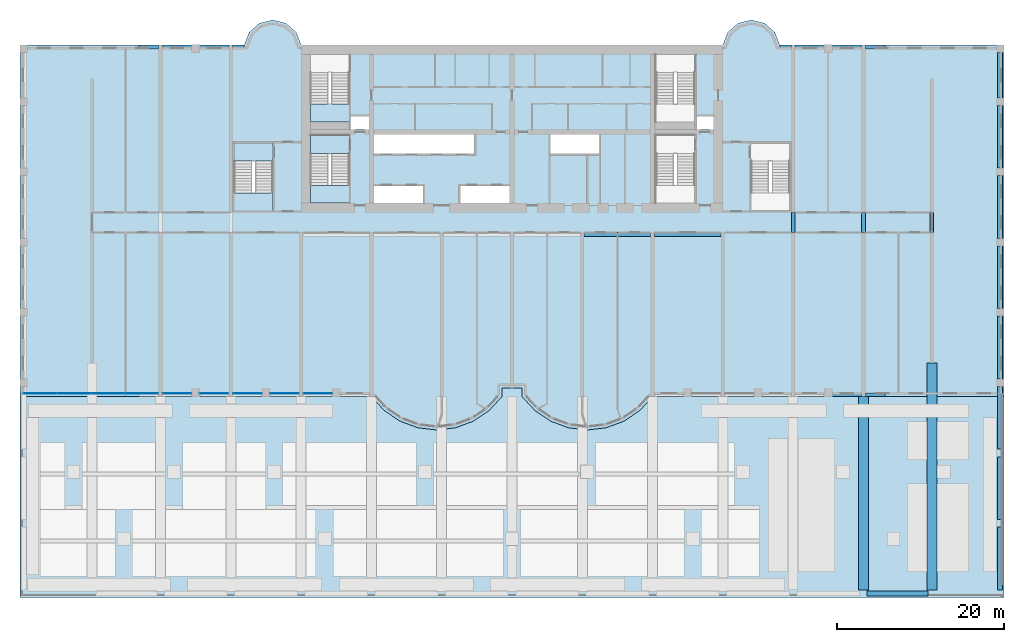
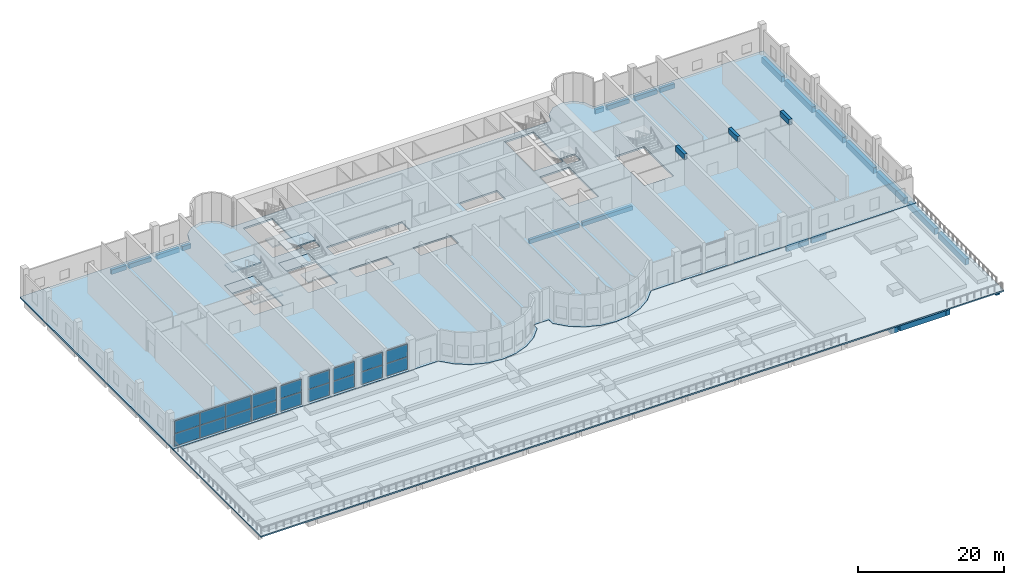
# One storey, part 7 of 20: 26 beams, 18 plates, 9 slabs, 9 elements without a shape of their own.
"""IFC4 building model written with IfcOpenShell, lengths in metres."""

from ifc_helpers import new_model, si_unit, direction, frame, origin, origin_2d, place, context, subcontext, project, spatial, polyline, rectangle, outline, extrude, source, transform, mapped, material, layer, layer_set, material_profile, profile_set, type_object, element, aggregate, save


model = new_model("IFC4")

# Units and contexts
model_context = context("Model", 3, precision=1e-05, world=origin(), true_north=direction((0.0, 1.0)))
body_context = subcontext(model_context, "Body", "Model", "MODEL_VIEW")
ifc_project = project(units=[si_unit("LENGTHUNIT", "METRE"), si_unit("AREAUNIT", "SQUARE_METRE"), si_unit("VOLUMEUNIT", "CUBIC_METRE"), si_unit("PLANEANGLEUNIT", "RADIAN"), si_unit("MASSUNIT", "GRAM", prefix="KILO")], contexts=[model_context])

# Site, building, storey
site_placement = place(None, origin())
site = spatial("IfcSite", under=ifc_project, at=site_placement, CompositionType="ELEMENT")
building_placement = place(site_placement, origin())
building = spatial("IfcBuilding", under=site, at=building_placement, Name="Vanashikhar Sky Hotel", CompositionType="ELEMENT")
storey_placement = place(building_placement, frame((0.0, 0.0, 6.0)))
storey = spatial("IfcBuildingStorey", under=building, at=storey_placement, Name="L01", CompositionType="ELEMENT", Elevation=6.0)

# Beams
ifc_material_1 = material(Name="Concrete M50", Category="concrete")
ifc_material_profile_1 = material_profile(ifc_material_1, rectangle(XDim=0.449951171875, YDim=0.89990234375, at=origin_2d()))
ifc_profile_set_1 = profile_set([ifc_material_profile_1], Name="RC 450x900 beam Concrete M50")
beam_type_1 = type_object("IfcBeamType", Name="RC 450x900 beam Concrete M50", PredefinedType="LINTEL", material=ifc_profile_set_1)
shared_shape_1 = source(origin(), body_context, "Body", "SweptSolid", [
    extrude(rectangle(XDim=0.449951171875, YDim=0.89990234375, at=origin_2d()), origin(), (0.0, 0.0, 1.0), 2.39990234375),
])
for number, where, z_axis, x_axis, name in (
    (1, (84.0, 19.60009765625, 4.669921875), (0.0, 1.0, 0.0), (-1.0, 0.0, 0.0), "LB-L01-XW11"),
    (2, (92.39990234375, 19.60009765625, 4.669921875), (0.0, 1.0, 0.0), (-1.0, 0.0, 0.0), "LB-L01-XW12"),
    (3, (100.574951171875, 19.60009765625, 4.669921875), (0.0, 1.0, 0.0), (-1.0, 0.0, 0.0), "LB-L01-XW13"),
):
    element("IfcBeam", number, at=place(storey_placement, frame(where, z_axis=z_axis, x_axis=x_axis)), inside=storey, type_object=beam_type_1, Name=name, PredefinedType="LINTEL", context=body_context, shape_type="MappedRepresentation", body=[
        mapped(shared_shape_1, transform((0.0, 0.0, 0.0), scale=1.0)),
    ])
ifc_material_profile_2 = material_profile(ifc_material_1, rectangle(XDim=0.449951171875, YDim=0.75, at=origin_2d()))
ifc_profile_set_2 = profile_set([ifc_material_profile_2], Name="RC 450x750 beam Concrete M50")
beam_type_2 = type_object("IfcBeamType", Name="RC 450x750 beam Concrete M50", PredefinedType="SPANDREL", material=ifc_profile_set_2)
shared_shape_2 = source(origin(), body_context, "Body", "SweptSolid", [
    extrude(rectangle(XDim=0.449951171875, YDim=0.75, at=origin_2d()), origin(), (0.0, 0.0, 1.0), 3.52490234375),
])
for number, where, z_axis, x_axis, name in (
    (4, (8.625, 41.77490234375, -0.655029296875), (1.0, 0.0, 0.0), (0.0, 1.0, 0.0), "EB-L01-R01"),
    (5, (13.050048828125, 41.77490234375, -0.655029296875), (1.0, 0.0, 0.0), (0.0, 1.0, 0.0), "EB-L01-R02"),
    (6, (84.22509765625, 41.77490234375, -0.655029296875), (1.0, 0.0, 0.0), (0.0, 1.0, 0.0), "EB-L01-R05"),
):
    element("IfcBeam", number, at=place(storey_placement, frame(where, z_axis=z_axis, x_axis=x_axis)), inside=storey, type_object=beam_type_2, Name=name, PredefinedType="SPANDREL", context=body_context, shape_type="MappedRepresentation", body=[
        mapped(shared_shape_2, transform((0.0, 0.0, 0.0), scale=1.0)),
    ])
shared_shape_3 = source(origin(), body_context, "Body", "SweptSolid", [
    extrude(rectangle(XDim=0.449951171875, YDim=0.75, at=origin_2d()), origin(), (0.0, 0.0, 1.0), 3.525146484375),
])
for number, where, z_axis, x_axis, name in (
    (7, (88.64990234375, 0.22509765625, -0.655029296875), (1.0, 0.0, 0.0), (0.0, 1.0, 0.0), "EB-L01-F13"),
    (8, (88.64990234375, 41.77490234375, -0.655029296875), (1.0, 0.0, 0.0), (0.0, 1.0, 0.0), "EB-L01-R06"),
):
    element("IfcBeam", number, at=place(storey_placement, frame(where, z_axis=z_axis, x_axis=x_axis)), inside=storey, type_object=beam_type_2, Name=name, PredefinedType="SPANDREL", context=body_context, shape_type="MappedRepresentation", body=[
        mapped(shared_shape_3, transform((0.0, 0.0, 0.0), scale=1.0)),
    ])
ifc_material_profile_3 = material_profile(ifc_material_1, rectangle(XDim=0.449951171875, YDim=0.75, at=origin_2d()))
ifc_profile_set_3 = profile_set([ifc_material_profile_3], Name="RC 450x750 cantilever beam Concrete M50")
beam_type_3 = type_object("IfcBeamType", Name="RC 450x750 cantilever beam Concrete M50", PredefinedType="SPANDREL", material=ifc_profile_set_3)
shared_shape_4 = source(origin(), body_context, "Body", "SweptSolid", [
    extrude(rectangle(XDim=0.449951171875, YDim=0.75, at=origin_2d()), origin(), (0.0, 0.0, 1.0), 2.330078125),
])
for number, where, z_axis, x_axis, name in (
    (9, (92.625, 0.22509765625, -0.655029296875), (1.0, 0.0, 0.0), (0.0, 1.0, 0.0), "EB-L01-F14"),
    (10, (5.844970703125, 41.77490234375, -0.655029296875), (1.0, 0.0, 0.0), (0.0, 1.0, 0.0), "EB-L01-R03"),
    (11, (92.625, 41.77490234375, -0.655029296875), (1.0, 0.0, 0.0), (0.0, 1.0, 0.0), "EB-L01-R08"),
):
    element("IfcBeam", number, at=place(storey_placement, frame(where, z_axis=z_axis, x_axis=x_axis)), inside=storey, type_object=beam_type_3, Name=name, PredefinedType="SPANDREL", context=body_context, shape_type="MappedRepresentation", body=[
        mapped(shared_shape_4, transform((0.0, 0.0, 0.0), scale=1.0)),
    ])
shared_shape_5 = source(origin(), body_context, "Body", "SweptSolid", [
    extrude(rectangle(XDim=0.449951171875, YDim=0.75, at=origin_2d()), origin(), (0.0, 0.0, 1.0), 1.375),
])
for number, where, z_axis, x_axis, name in (
    (12, (17.02490234375, 41.77490234375, -0.655029296875), (1.0, 0.0, 0.0), (0.0, 1.0, 0.0), "EB-L01-R04"),
    (13, (82.39990234375, 41.77490234375, -0.655029296875), (1.0, 0.0, 0.0), (0.0, 1.0, 0.0), "EB-L01-R07"),
):
    element("IfcBeam", number, at=place(storey_placement, frame(where, z_axis=z_axis, x_axis=x_axis)), inside=storey, type_object=beam_type_3, Name=name, PredefinedType="SPANDREL", context=body_context, shape_type="MappedRepresentation", body=[
        mapped(shared_shape_5, transform((0.0, 0.0, 0.0), scale=1.0)),
    ])
ifc_material_profile_4 = material_profile(ifc_material_1, rectangle(XDim=0.449951171875, YDim=0.699951171875, at=origin_2d()))
ifc_profile_set_4 = profile_set([ifc_material_profile_4], Name="RC 450x700 beam Concrete M50")
beam_type_4 = type_object("IfcBeamType", Name="RC 450x700 beam Concrete M50", PredefinedType="BEAM", material=ifc_profile_set_4)
shared_shape_6 = source(origin(), body_context, "Body", "SweptSolid", [
    extrude(rectangle(XDim=0.449951171875, YDim=0.699951171875, at=origin_2d()), origin(), (0.0, 0.0, 1.0), 7.949951171875),
])
beam_1_placement = place(storey_placement, frame((67.425048828125, 19.375, -0.6298828125), z_axis=(1.0, 0.0, 0.0), x_axis=(0.0, 1.0, 0.0)))
element("IfcBeam", 14, at=beam_1_placement, inside=storey, type_object=beam_type_4, Name="CB-L01-06", PredefinedType="BEAM", context=body_context, shape_type="MappedRepresentation", body=[
    mapped(shared_shape_6, transform((0.0, 0.0, 0.0), scale=1.0)),
])
shared_shape_7 = source(origin(), body_context, "Body", "SweptSolid", [
    extrude(rectangle(XDim=0.449951171875, YDim=0.699951171875, at=origin_2d()), origin(), (0.0, 0.0, 1.0), 7.9501953125),
])
beam_2_placement = place(storey_placement, frame((59.02490234375, 19.375, -0.6298828125), z_axis=(1.0, 0.0, 0.0), x_axis=(0.0, 1.0, 0.0)))
element("IfcBeam", 15, at=beam_2_placement, inside=storey, type_object=beam_type_4, Name="CB-L01-05", PredefinedType="BEAM", context=body_context, shape_type="MappedRepresentation", body=[
    mapped(shared_shape_7, transform((0.0, 0.0, 0.0), scale=1.0)),
])
ifc_material_profile_5 = material_profile(ifc_material_1, rectangle(XDim=0.60009765625, YDim=1.0, at=origin_2d()))
ifc_profile_set_5 = profile_set([ifc_material_profile_5], Name="RC 600x1000 beam Concrete M50")
beam_type_5 = type_object("IfcBeamType", Name="RC 600x1000 beam Concrete M50", PredefinedType="SPANDREL", material=ifc_profile_set_5)
shared_shape_8 = source(origin(), body_context, "Body", "SweptSolid", [
    extrude(rectangle(XDim=0.60009765625, YDim=1.0, at=origin_2d()), origin(), (0.0, 0.0, 1.0), 7.5),
])
for number, where, z_axis, x_axis, name in (
    (16, (108.75, -23.10009765625, -0.780029296875), (0.0, 1.0, 0.0), (-1.0, 0.0, 0.0), "EB-L01-A201"),
    (17, (108.75, -14.699951171875, -0.780029296875), (0.0, 1.0, 0.0), (-1.0, 0.0, 0.0), "EB-L01-A202"),
    (18, (108.75, -6.300048828125, -0.780029296875), (0.0, 1.0, 0.0), (-1.0, 0.0, 0.0), "EB-L01-A203"),
    (19, (108.75, 2.10009765625, -0.780029296875), (0.0, 1.0, 0.0), (-1.0, 0.0, 0.0), "EB-L01-A204"),
    (20, (108.75, 10.5, -0.780029296875), (0.0, 1.0, 0.0), (-1.0, 0.0, 0.0), "EB-L01-A205"),
    (21, (108.75, 18.89990234375, -0.780029296875), (0.0, 1.0, 0.0), (-1.0, 0.0, 0.0), "EB-L01-A206"),
    (22, (108.75, 27.300048828125, -0.780029296875), (0.0, 1.0, 0.0), (-1.0, 0.0, 0.0), "EB-L01-A207"),
):
    element("IfcBeam", number, at=place(storey_placement, frame(where, z_axis=z_axis, x_axis=x_axis)), inside=storey, type_object=beam_type_5, Name=name, PredefinedType="SPANDREL", context=body_context, shape_type="MappedRepresentation", body=[
        mapped(shared_shape_8, transform((0.0, 0.0, 0.0), scale=1.0)),
    ])
shared_shape_9 = source(origin(), body_context, "Body", "SweptSolid", [
    extrude(rectangle(XDim=0.60009765625, YDim=1.0, at=origin_2d()), origin(), (0.0, 0.0, 1.0), 5.400146484375),
])
beam_3_placement = place(storey_placement, frame((108.75, 35.699951171875, -0.780029296875), z_axis=(0.0, 1.0, 0.0), x_axis=(-1.0, 0.0, 0.0)))
element("IfcBeam", 23, at=beam_3_placement, inside=storey, type_object=beam_type_5, Name="EB-L01-A208", PredefinedType="SPANDREL", context=body_context, shape_type="MappedRepresentation", body=[
    mapped(shared_shape_9, transform((0.0, 0.0, 0.0), scale=1.0)),
])
ifc_material_profile_6 = material_profile(ifc_material_1, rectangle(XDim=1.199951171875, YDim=1.60009765625, at=origin_2d()))
ifc_profile_set_6 = profile_set([ifc_material_profile_6], Name="RC 1200x1600 beam Concrete M50")
beam_type_6 = type_object("IfcBeamType", Name="RC 1200x1600 beam Concrete M50", PredefinedType="BEAM", material=ifc_profile_set_6)
shared_shape_10 = source(origin(), body_context, "Body", "SweptSolid", [
    extrude(rectangle(XDim=1.199951171875, YDim=1.60009765625, at=origin_2d()), origin(), (0.0, 0.0, 1.0), 27.10009765625),
])
beam_4_placement = place(storey_placement, frame((100.574951171875, -23.10009765625, -1.080078125), z_axis=(0.0, 1.0, 0.0), x_axis=(-1.0, 0.0, 0.0)))
element("IfcBeam", 24, at=beam_4_placement, inside=storey, type_object=beam_type_6, Name="TG-L01-13", PredefinedType="BEAM", context=body_context, shape_type="MappedRepresentation", body=[
    mapped(shared_shape_10, transform((0.0, 0.0, 0.0), scale=1.0)),
])
shared_shape_11 = source(origin(), body_context, "Body", "SweptSolid", [
    extrude(rectangle(XDim=1.199951171875, YDim=1.60009765625, at=origin_2d()), origin(), (0.0, 0.0, 1.0), 23.10009765625),
])
beam_5_placement = place(storey_placement, frame((92.39990234375, -23.10009765625, -1.080078125), z_axis=(0.0, 1.0, 0.0), x_axis=(-1.0, 0.0, 0.0)))
element("IfcBeam", 25, at=beam_5_placement, inside=storey, type_object=beam_type_6, Name="TG-L01-12", PredefinedType="BEAM", context=body_context, shape_type="MappedRepresentation", body=[
    mapped(shared_shape_11, transform((0.0, 0.0, 0.0), scale=1.0)),
])
shared_shape_12 = source(origin(), body_context, "Body", "SweptSolid", [
    extrude(rectangle(XDim=0.60009765625, YDim=1.0, at=origin_2d()), origin(), (0.0, 0.0, 1.0), 7.27490234375),
])
beam_6_placement = place(storey_placement, frame((92.85009765625, -23.550048828125, -0.780029296875), z_axis=(1.0, 0.0, 0.0), x_axis=(0.0, 1.0, 0.0)))
element("IfcBeam", 26, at=beam_6_placement, inside=storey, type_object=beam_type_5, Name="EB-L01-D12", PredefinedType="SPANDREL", context=body_context, shape_type="MappedRepresentation", body=[
    mapped(shared_shape_12, transform((0.0, 0.0, 0.0), scale=1.0)),
])

# Slabs
ifc_material_2 = material(Name="Concrete M40", Category="concrete")
ifc_layer_1 = layer(ifc_material_2, 0.280029296875)
ifc_layer_set_1 = layer_set([ifc_layer_1], Name="Floor slab 280 mm")
slab_type_1 = type_object("IfcSlabType", Name="Floor slab 280 mm", PredefinedType="FLOOR", material=ifc_layer_set_1)
shared_shape_13 = source(origin(), body_context, "Body", "SweptSolid", [
    extrude(outline(polyline([(49.199951171875, 0.0), (49.199951171875, 1.0), (51.60009765625, 1.0), (51.60009765625, 0.0), (53.133056640625, -1.674072265625), (55.01708984375, -2.94189453125), (57.14599609375, -3.73193359375), (59.39990234375, -4.0), (61.654052734375, -3.73193359375), (63.782958984375, -2.94189453125), (65.6669921875, -1.674072265625), (67.199951171875, 0.0), (109.199951171875, 0.0), (109.199951171875, 42.0), (82.39990234375, 42.0), (81.81494140625, 43.527099609375), (80.587890625, 44.610107421875), (79.0, 45.0), (77.412109375, 44.610107421875), (76.18505859375, 43.527099609375), (75.60009765625, 42.0), (25.199951171875, 42.0), (24.614990234375, 43.527099609375), (23.387939453125, 44.610107421875), (21.800048828125, 45.0), (20.2119140625, 44.610107421875), (18.985107421875, 43.527099609375), (18.39990234375, 42.0), (-8.39990234375, 42.0), (-8.39990234375, 0.0), (33.60009765625, 0.0), (35.133056640625, -1.674072265625), (37.01708984375, -2.94189453125), (39.14599609375, -3.73193359375), (41.39990234375, -4.0), (43.654052734375, -3.73193359375), (45.782958984375, -2.94189453125), (47.6669921875, -1.674072265625), (49.199951171875, 0.0)]), holes=[polyline([(33.300048828125, 33.60009765625), (31.050048828125, 33.60009765625), (31.050048828125, 31.89990234375), (33.300048828125, 31.89990234375), (33.300048828125, 33.60009765625)]), polyline([(33.89990234375, 25.199951171875), (33.89990234375, 23.10009765625), (39.89990234375, 23.10009765625), (39.89990234375, 25.199951171875), (33.89990234375, 25.199951171875)]), polyline([(33.89990234375, 31.300048828125), (33.89990234375, 29.0), (45.89990234375, 29.0), (45.89990234375, 31.300048828125), (33.89990234375, 31.300048828125)]), polyline([(44.10009765625, 25.199951171875), (44.10009765625, 23.10009765625), (50.10009765625, 23.10009765625), (50.10009765625, 25.199951171875), (44.10009765625, 25.199951171875)]), polyline([(54.89990234375, 31.300048828125), (54.89990234375, 29.0), (60.89990234375, 29.0), (60.89990234375, 31.300048828125), (54.89990234375, 31.300048828125)]), polyline([(74.5, 33.60009765625), (72.35009765625, 33.60009765625), (72.35009765625, 31.89990234375), (74.5, 31.89990234375), (74.5, 33.60009765625)]), polyline([(30.949951171875, 23.10009765625), (30.949951171875, 31.199951171875), (26.300048828125, 31.199951171875), (26.300048828125, 23.10009765625), (30.949951171875, 23.10009765625)]), polyline([(72.25, 23.10009765625), (72.25, 31.199951171875), (67.60009765625, 31.199951171875), (67.60009765625, 23.10009765625), (72.25, 23.10009765625)]), polyline([(30.949951171875, 32.800048828125), (30.949951171875, 40.89990234375), (26.300048828125, 40.89990234375), (26.300048828125, 32.800048828125), (30.949951171875, 32.800048828125)]), polyline([(72.25, 32.800048828125), (72.25, 40.89990234375), (67.60009765625, 40.89990234375), (67.60009765625, 32.800048828125), (72.25, 32.800048828125)]), polyline([(83.60009765625, 22.199951171875), (83.60009765625, 30.300048828125), (78.949951171875, 30.300048828125), (78.949951171875, 22.199951171875), (83.60009765625, 22.199951171875)]), polyline([(21.85009765625, 22.199951171875), (21.85009765625, 30.300048828125), (17.199951171875, 30.300048828125), (17.199951171875, 22.199951171875), (21.85009765625, 22.199951171875)])]), origin(), (0.0, 0.0, 1.0), 0.280029296875),
])
slab_1_placement = place(storey_placement, frame((0.0, 0.0, -0.280029296875)))
element("IfcSlab", 27, at=slab_1_placement, inside=storey, type_object=slab_type_1, Name="Floor slab L01", PredefinedType="FLOOR", context=body_context, shape_type="MappedRepresentation", body=[
    mapped(shared_shape_13, transform((0.0, 0.0, 0.0), scale=1.0)),
])
ifc_layer_2 = layer(ifc_material_2, 0.22998046875)
ifc_layer_set_2 = layer_set([ifc_layer_2], Name="Garden deck slab 230 mm")
slab_type_2 = type_object("IfcSlabType", Name="Garden deck slab 230 mm", PredefinedType="ROOF", material=ifc_layer_set_2)
shared_shape_14 = source(origin(), body_context, "Body", "SweptSolid", [
    extrude(outline(polyline([(109.197998046875, -0.001953125), (67.200927734375, -0.001953125), (65.66796875, -1.676025390625), (63.783935546875, -2.944091796875), (61.654052734375, -3.73388671875), (59.39990234375, -4.001953125), (57.14599609375, -3.73388671875), (55.01611328125, -2.944091796875), (53.132080078125, -1.676025390625), (51.597900390625, -0.0009765625), (51.597900390625, 0.998046875), (49.201904296875, 0.998046875), (49.201904296875, -0.0009765625), (47.66796875, -1.676025390625), (45.783935546875, -2.944091796875), (43.654052734375, -3.73388671875), (41.39990234375, -4.001953125), (39.14599609375, -3.73388671875), (37.01611328125, -2.944091796875), (35.132080078125, -1.676025390625), (33.59912109375, -0.001953125), (-8.39794921875, -0.001953125), (-8.39794921875, -23.998046875), (109.197998046875, -23.998046875), (109.197998046875, -0.001953125)])), origin(), (0.0, 0.0, 1.0), 0.22998046875),
])
slab_2_placement = place(storey_placement, frame((0.0, 0.0, -0.280029296875)))
element("IfcSlab", 28, at=slab_2_placement, inside=storey, type_object=slab_type_2, Name="Garden deck slab L01 1", PredefinedType="ROOF", context=body_context, shape_type="MappedRepresentation", body=[
    mapped(shared_shape_14, transform((0.0, 0.0, 0.0), scale=1.0)),
])

# Curtain wall, plates
ifc_material_3 = material(Name="Glass", Category="glass")
ifc_layer_3 = layer(ifc_material_3, 0.159912109375)
ifc_layer_set_3 = layer_set([ifc_layer_3], Name="Garden lounge curtain wall")
curtain_wall_type = type_object("IfcCurtainWallType", Name="Garden lounge curtain wall", PredefinedType="NOTDEFINED", material=ifc_layer_set_3)
curtain_wall_1_placement = place(storey_placement, origin())
curtain_wall_1 = element("IfcCurtainWall", 29, at=curtain_wall_1_placement, inside=storey, type_object=curtain_wall_type, Name="Garden lounge curtain wall", PredefinedType="NOTDEFINED")
ifc_layer_4 = layer(ifc_material_3, 0.028076171875)
ifc_layer_set_4 = layer_set([ifc_layer_4], Name="Podium curtain wall panel 28")
plate_type = type_object("IfcPlateType", Name="Podium curtain wall panel 28", PredefinedType="CURTAIN_PANEL", material=ifc_layer_set_4)
shared_shape_15 = source(origin(), body_context, "Body", "SweptSolid", [
    extrude(rectangle(XDim=3.405029296875, YDim=0.028076171875, at=origin_2d()), origin(), (0.0, 0.0, 1.0), 2.094970703125),
])
plate_1_placement = place(storey_placement, frame((10.387451171875, 0.375, 0.06005859375), z_axis=(0.0, 0.0, 1.0), x_axis=(1.0, 0.0, 0.0)))
plate_1 = element("IfcPlate", 30, at=plate_1_placement, type_object=plate_type, Name="CW-2.104 panel 1.1", PredefinedType="CURTAIN_PANEL", context=body_context, shape_type="MappedRepresentation", body=[
    mapped(shared_shape_15, transform((0.0, 0.0, 0.0), scale=1.0)),
])
plate_2_placement = place(storey_placement, frame((10.387451171875, 0.375, 2.21484375), z_axis=(0.0, 0.0, 1.0), x_axis=(1.0, 0.0, 0.0)))
plate_2 = element("IfcPlate", 31, at=plate_2_placement, type_object=plate_type, Name="CW-2.104 panel 1.2", PredefinedType="CURTAIN_PANEL", context=body_context, shape_type="MappedRepresentation", body=[
    mapped(shared_shape_15, transform((0.0, 0.0, 0.0), scale=1.0)),
])
aggregate(curtain_wall_1, [plate_1, plate_2])

curtain_wall_2_placement = place(storey_placement, origin())
curtain_wall_2 = element("IfcCurtainWall", 32, at=curtain_wall_2_placement, inside=storey, type_object=curtain_wall_type, Name="Garden lounge curtain wall", PredefinedType="NOTDEFINED")
plate_3_placement = place(storey_placement, frame((14.8125, 0.375, 0.06005859375), z_axis=(0.0, 0.0, 1.0), x_axis=(1.0, 0.0, 0.0)))
plate_3 = element("IfcPlate", 33, at=plate_3_placement, type_object=plate_type, Name="CW-2.105 panel 1.1", PredefinedType="CURTAIN_PANEL", context=body_context, shape_type="MappedRepresentation", body=[
    mapped(shared_shape_15, transform((0.0, 0.0, 0.0), scale=1.0)),
])
plate_4_placement = place(storey_placement, frame((14.8125, 0.375, 2.21484375), z_axis=(0.0, 0.0, 1.0), x_axis=(1.0, 0.0, 0.0)))
plate_4 = element("IfcPlate", 34, at=plate_4_placement, type_object=plate_type, Name="CW-2.105 panel 1.2", PredefinedType="CURTAIN_PANEL", context=body_context, shape_type="MappedRepresentation", body=[
    mapped(shared_shape_15, transform((0.0, 0.0, 0.0), scale=1.0)),
])
aggregate(curtain_wall_2, [plate_3, plate_4])

curtain_wall_3_placement = place(storey_placement, origin())
curtain_wall_3 = element("IfcCurtainWall", 35, at=curtain_wall_3_placement, inside=storey, type_object=curtain_wall_type, Name="Garden lounge curtain wall", PredefinedType="NOTDEFINED")
plate_5_placement = place(storey_placement, frame((18.78759765625, 0.375, 0.06005859375), z_axis=(0.0, 0.0, 1.0), x_axis=(1.0, 0.0, 0.0)))
plate_5 = element("IfcPlate", 36, at=plate_5_placement, type_object=plate_type, Name="CW-2.106 panel 1.1", PredefinedType="CURTAIN_PANEL", context=body_context, shape_type="MappedRepresentation", body=[
    mapped(shared_shape_15, transform((0.0, 0.0, 0.0), scale=1.0)),
])
plate_6_placement = place(storey_placement, frame((18.78759765625, 0.375, 2.21484375), z_axis=(0.0, 0.0, 1.0), x_axis=(1.0, 0.0, 0.0)))
plate_6 = element("IfcPlate", 37, at=plate_6_placement, type_object=plate_type, Name="CW-2.106 panel 1.2", PredefinedType="CURTAIN_PANEL", context=body_context, shape_type="MappedRepresentation", body=[
    mapped(shared_shape_15, transform((0.0, 0.0, 0.0), scale=1.0)),
])
aggregate(curtain_wall_3, [plate_5, plate_6])

curtain_wall_4_placement = place(storey_placement, origin())
curtain_wall_4 = element("IfcCurtainWall", 38, at=curtain_wall_4_placement, inside=storey, type_object=curtain_wall_type, Name="Garden lounge curtain wall", PredefinedType="NOTDEFINED")
plate_7_placement = place(storey_placement, frame((23.21240234375, 0.375, 0.06005859375), z_axis=(0.0, 0.0, 1.0), x_axis=(1.0, 0.0, 0.0)))
plate_7 = element("IfcPlate", 39, at=plate_7_placement, type_object=plate_type, Name="CW-2.107 panel 1.1", PredefinedType="CURTAIN_PANEL", context=body_context, shape_type="MappedRepresentation", body=[
    mapped(shared_shape_15, transform((0.0, 0.0, 0.0), scale=1.0)),
])
plate_8_placement = place(storey_placement, frame((23.21240234375, 0.375, 2.21484375), z_axis=(0.0, 0.0, 1.0), x_axis=(1.0, 0.0, 0.0)))
plate_8 = element("IfcPlate", 40, at=plate_8_placement, type_object=plate_type, Name="CW-2.107 panel 1.2", PredefinedType="CURTAIN_PANEL", context=body_context, shape_type="MappedRepresentation", body=[
    mapped(shared_shape_15, transform((0.0, 0.0, 0.0), scale=1.0)),
])
aggregate(curtain_wall_4, [plate_7, plate_8])

curtain_wall_5_placement = place(storey_placement, origin())
curtain_wall_5 = element("IfcCurtainWall", 41, at=curtain_wall_5_placement, inside=storey, type_object=curtain_wall_type, Name="Garden lounge curtain wall", PredefinedType="NOTDEFINED")
plate_9_placement = place(storey_placement, frame((27.1875, 0.375, 0.06005859375), z_axis=(0.0, 0.0, 1.0), x_axis=(1.0, 0.0, 0.0)))
plate_9 = element("IfcPlate", 42, at=plate_9_placement, type_object=plate_type, Name="CW-2.108 panel 1.1", PredefinedType="CURTAIN_PANEL", context=body_context, shape_type="MappedRepresentation", body=[
    mapped(shared_shape_15, transform((0.0, 0.0, 0.0), scale=1.0)),
])
plate_10_placement = place(storey_placement, frame((27.1875, 0.375, 2.21484375), z_axis=(0.0, 0.0, 1.0), x_axis=(1.0, 0.0, 0.0)))
plate_10 = element("IfcPlate", 43, at=plate_10_placement, type_object=plate_type, Name="CW-2.108 panel 1.2", PredefinedType="CURTAIN_PANEL", context=body_context, shape_type="MappedRepresentation", body=[
    mapped(shared_shape_15, transform((0.0, 0.0, 0.0), scale=1.0)),
])
aggregate(curtain_wall_5, [plate_9, plate_10])

curtain_wall_6_placement = place(storey_placement, origin())
curtain_wall_6 = element("IfcCurtainWall", 44, at=curtain_wall_6_placement, inside=storey, type_object=curtain_wall_type, Name="Garden lounge curtain wall", PredefinedType="NOTDEFINED")
shared_shape_16 = source(origin(), body_context, "Body", "SweptSolid", [
    extrude(rectangle(XDim=3.9599609375, YDim=0.028076171875, at=origin_2d()), origin(), (0.0, 0.0, 1.0), 2.094970703125),
])
plate_11_placement = place(storey_placement, frame((-5.985107421875, 0.375, 0.06005859375), z_axis=(0.0, 0.0, 1.0), x_axis=(1.0, 0.0, 0.0)))
plate_11 = element("IfcPlate", 45, at=plate_11_placement, type_object=plate_type, Name="CW-2.103 panel 1.1", PredefinedType="CURTAIN_PANEL", context=body_context, shape_type="MappedRepresentation", body=[
    mapped(shared_shape_16, transform((0.0, 0.0, 0.0), scale=1.0)),
])
plate_12_placement = place(storey_placement, frame((-5.985107421875, 0.375, 2.21484375), z_axis=(0.0, 0.0, 1.0), x_axis=(1.0, 0.0, 0.0)))
plate_12 = element("IfcPlate", 46, at=plate_12_placement, type_object=plate_type, Name="CW-2.103 panel 1.2", PredefinedType="CURTAIN_PANEL", context=body_context, shape_type="MappedRepresentation", body=[
    mapped(shared_shape_16, transform((0.0, 0.0, 0.0), scale=1.0)),
])
plate_13_placement = place(storey_placement, frame((6.135009765625, 0.375, 0.06005859375), z_axis=(0.0, 0.0, 1.0), x_axis=(1.0, 0.0, 0.0)))
plate_13 = element("IfcPlate", 47, at=plate_13_placement, type_object=plate_type, Name="CW-2.103 panel 4.1", PredefinedType="CURTAIN_PANEL", context=body_context, shape_type="MappedRepresentation", body=[
    mapped(shared_shape_16, transform((0.0, 0.0, 0.0), scale=1.0)),
])
plate_14_placement = place(storey_placement, frame((6.135009765625, 0.375, 2.21484375), z_axis=(0.0, 0.0, 1.0), x_axis=(1.0, 0.0, 0.0)))
plate_14 = element("IfcPlate", 48, at=plate_14_placement, type_object=plate_type, Name="CW-2.103 panel 4.2", PredefinedType="CURTAIN_PANEL", context=body_context, shape_type="MappedRepresentation", body=[
    mapped(shared_shape_16, transform((0.0, 0.0, 0.0), scale=1.0)),
])
shared_shape_17 = source(origin(), body_context, "Body", "SweptSolid", [
    extrude(rectangle(XDim=3.989990234375, YDim=0.028076171875, at=origin_2d()), origin(), (0.0, 0.0, 1.0), 2.094970703125),
])
plate_15_placement = place(storey_placement, frame((-1.949951171875, 0.375, 0.06005859375), z_axis=(0.0, 0.0, 1.0), x_axis=(1.0, 0.0, 0.0)))
plate_15 = element("IfcPlate", 49, at=plate_15_placement, type_object=plate_type, Name="CW-2.103 panel 2.1", PredefinedType="CURTAIN_PANEL", context=body_context, shape_type="MappedRepresentation", body=[
    mapped(shared_shape_17, transform((0.0, 0.0, 0.0), scale=1.0)),
])
plate_16_placement = place(storey_placement, frame((-1.949951171875, 0.375, 2.21484375), z_axis=(0.0, 0.0, 1.0), x_axis=(1.0, 0.0, 0.0)))
plate_16 = element("IfcPlate", 50, at=plate_16_placement, type_object=plate_type, Name="CW-2.103 panel 2.2", PredefinedType="CURTAIN_PANEL", context=body_context, shape_type="MappedRepresentation", body=[
    mapped(shared_shape_17, transform((0.0, 0.0, 0.0), scale=1.0)),
])
plate_17_placement = place(storey_placement, frame((2.10009765625, 0.375, 0.06005859375), z_axis=(0.0, 0.0, 1.0), x_axis=(1.0, 0.0, 0.0)))
plate_17 = element("IfcPlate", 51, at=plate_17_placement, type_object=plate_type, Name="CW-2.103 panel 3.1", PredefinedType="CURTAIN_PANEL", context=body_context, shape_type="MappedRepresentation", body=[
    mapped(shared_shape_17, transform((0.0, 0.0, 0.0), scale=1.0)),
])
plate_18_placement = place(storey_placement, frame((2.10009765625, 0.375, 2.21484375), z_axis=(0.0, 0.0, 1.0), x_axis=(1.0, 0.0, 0.0)))
plate_18 = element("IfcPlate", 52, at=plate_18_placement, type_object=plate_type, Name="CW-2.103 panel 3.2", PredefinedType="CURTAIN_PANEL", context=body_context, shape_type="MappedRepresentation", body=[
    mapped(shared_shape_17, transform((0.0, 0.0, 0.0), scale=1.0)),
])
aggregate(curtain_wall_6, [plate_11, plate_12, plate_15, plate_16, plate_17, plate_18, plate_13, plate_14])

# Stair, slabs
stair_type = type_object("IfcStairType", Name="Exit stair 2150", PredefinedType="DOUBLE_RETURN_STAIR", material=ifc_material_2)
stair_1_placement = place(storey_placement, origin())
stair_1 = element("IfcStair", 53, at=stair_1_placement, inside=storey, type_object=stair_type, Name="L01 Exit stair 1", PredefinedType="DOUBLE_RETURN_STAIR")
ifc_layer_5 = layer(ifc_material_2, 0.199951171875)
ifc_layer_set_5 = layer_set([ifc_layer_5], Name="Stair landing 200")
slab_type_3 = type_object("IfcSlabType", Name="Stair landing 200", PredefinedType="LANDING", material=ifc_layer_set_5)
shared_shape_18 = source(origin(), body_context, "Body", "SweptSolid", [
    extrude(outline(polyline([(30.949951171875, 23.10009765625), (30.949951171875, 25.25), (26.300048828125, 25.25), (26.300048828125, 23.10009765625), (30.949951171875, 23.10009765625)])), origin(), (0.0, 0.0, 1.0), 0.199951171875),
])
slab_3_placement = place(storey_placement, frame((0.0, 0.0, 1.60009765625)))
slab_3 = element("IfcSlab", 54, at=slab_3_placement, type_object=slab_type_3, Name="ST-C1 landing 1", PredefinedType="LANDING", context=body_context, shape_type="MappedRepresentation", body=[
    mapped(shared_shape_18, transform((0.0, 0.0, 0.0), scale=1.0)),
])
shared_shape_19 = source(origin(), body_context, "Body", "SweptSolid", [
    extrude(outline(polyline([(30.949951171875, 29.050048828125), (30.949951171875, 31.199951171875), (26.300048828125, 31.199951171875), (26.300048828125, 29.050048828125), (30.949951171875, 29.050048828125)])), origin(), (0.0, 0.0, 1.0), 0.2001953125),
])
slab_4_placement = place(storey_placement, frame((0.0, 0.0, 3.39990234375)))
slab_4 = element("IfcSlab", 55, at=slab_4_placement, type_object=slab_type_3, Name="ST-C1 landing 2", PredefinedType="LANDING", context=body_context, shape_type="MappedRepresentation", body=[
    mapped(shared_shape_19, transform((0.0, 0.0, 0.0), scale=1.0)),
])
aggregate(stair_1, [slab_3, slab_4])

# Slab
ifc_layer_6 = layer(ifc_material_2, 0.280029296875)
ifc_layer_set_6 = layer_set([ifc_layer_6], Name="Stair floor landing 280")
slab_type_4 = type_object("IfcSlabType", Name="Stair floor landing 280", PredefinedType="LANDING", material=ifc_layer_set_6)
shared_shape_20 = source(origin(), body_context, "Body", "SweptSolid", [
    extrude(outline(polyline([(30.949951171875, 29.050048828125), (30.949951171875, 31.199951171875), (26.300048828125, 31.199951171875), (26.300048828125, 29.050048828125), (30.949951171875, 29.050048828125)])), origin(), (0.0, 0.0, 1.0), 0.280029296875),
])
slab_5_placement = place(storey_placement, frame((0.0, 0.0, -0.280029296875)))
element("IfcSlab", 56, at=slab_5_placement, inside=storey, type_object=slab_type_4, Name="Exit stair 1 floor landing", PredefinedType="LANDING", context=body_context, shape_type="MappedRepresentation", body=[
    mapped(shared_shape_20, transform((0.0, 0.0, 0.0), scale=1.0)),
])

# Stair, slabs
stair_2_placement = place(storey_placement, origin())
stair_2 = element("IfcStair", 57, at=stair_2_placement, inside=storey, type_object=stair_type, Name="L01 Exit stair 3", PredefinedType="DOUBLE_RETURN_STAIR")
shared_shape_21 = source(origin(), body_context, "Body", "SweptSolid", [
    extrude(outline(polyline([(21.85009765625, 22.199951171875), (21.85009765625, 24.35009765625), (17.199951171875, 24.35009765625), (17.199951171875, 22.199951171875), (21.85009765625, 22.199951171875)])), origin(), (0.0, 0.0, 1.0), 0.199951171875),
])
slab_6_placement = place(storey_placement, frame((0.0, 0.0, 1.60009765625)))
slab_6 = element("IfcSlab", 58, at=slab_6_placement, type_object=slab_type_3, Name="ST-W landing 1", PredefinedType="LANDING", context=body_context, shape_type="MappedRepresentation", body=[
    mapped(shared_shape_21, transform((0.0, 0.0, 0.0), scale=1.0)),
])
shared_shape_22 = source(origin(), body_context, "Body", "SweptSolid", [
    extrude(outline(polyline([(21.85009765625, 28.14990234375), (21.85009765625, 30.300048828125), (17.199951171875, 30.300048828125), (17.199951171875, 28.14990234375), (21.85009765625, 28.14990234375)])), origin(), (0.0, 0.0, 1.0), 0.2001953125),
])
slab_7_placement = place(storey_placement, frame((0.0, 0.0, 3.39990234375)))
slab_7 = element("IfcSlab", 59, at=slab_7_placement, type_object=slab_type_3, Name="ST-W landing 2", PredefinedType="LANDING", context=body_context, shape_type="MappedRepresentation", body=[
    mapped(shared_shape_22, transform((0.0, 0.0, 0.0), scale=1.0)),
])
aggregate(stair_2, [slab_6, slab_7])

# Slab
shared_shape_23 = source(origin(), body_context, "Body", "SweptSolid", [
    extrude(outline(polyline([(21.85009765625, 28.14990234375), (21.85009765625, 30.300048828125), (17.199951171875, 30.300048828125), (17.199951171875, 28.14990234375), (21.85009765625, 28.14990234375)])), origin(), (0.0, 0.0, 1.0), 0.280029296875),
])
slab_8_placement = place(storey_placement, frame((0.0, 0.0, -0.280029296875)))
element("IfcSlab", 60, at=slab_8_placement, inside=storey, type_object=slab_type_4, Name="Exit stair 3 floor landing", PredefinedType="LANDING", context=body_context, shape_type="MappedRepresentation", body=[
    mapped(shared_shape_23, transform((0.0, 0.0, 0.0), scale=1.0)),
])

# Stair, slab
stair_3_placement = place(storey_placement, origin())
stair_3 = element("IfcStair", 61, at=stair_3_placement, inside=storey, type_object=stair_type, Name="L01 Exit stair 5", PredefinedType="DOUBLE_RETURN_STAIR")
shared_shape_24 = source(origin(), body_context, "Body", "SweptSolid", [
    extrude(outline(polyline([(30.949951171875, 32.800048828125), (30.949951171875, 34.949951171875), (26.300048828125, 34.949951171875), (26.300048828125, 32.800048828125), (30.949951171875, 32.800048828125)])), origin(), (0.0, 0.0, 1.0), 0.199951171875),
])
slab_9_placement = place(storey_placement, frame((0.0, 0.0, 1.60009765625)))
slab_9 = element("IfcSlab", 62, at=slab_9_placement, type_object=slab_type_3, Name="ST-C3 landing 1", PredefinedType="LANDING", context=body_context, shape_type="MappedRepresentation", body=[
    mapped(shared_shape_24, transform((0.0, 0.0, 0.0), scale=1.0)),
])
aggregate(stair_3, [slab_9])

save(model, "model.ifc")
